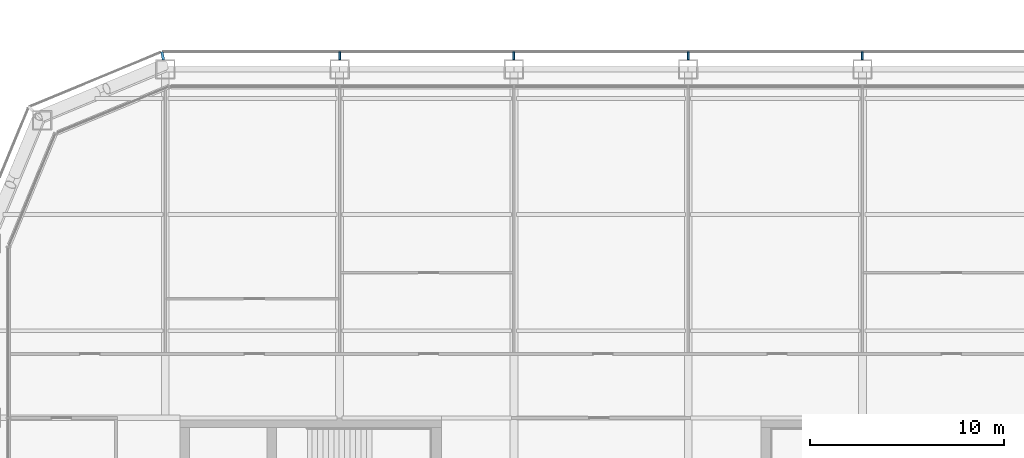
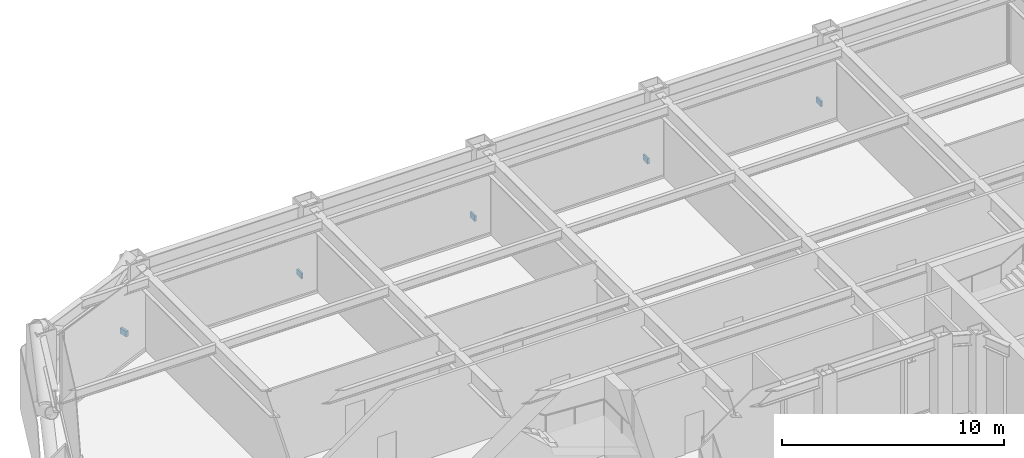
# One storey, part 23 of 30: 5 discrete accessories.
"""IFC4 building model written with IfcOpenShell, lengths in metres."""

import ifcopenshell
import ifcopenshell.guid

model = None  # the IFC model being written
_history = None  # IfcOwnerHistory: only IFC2X3 demands one
_inside = {}  # id of a spatial element -> (the spatial element, [elements in it])
_under = {}  # id of a project, library or spatial element -> (it, [spatial elements below it])
_declared = {}  # id of a project -> (the project, [libraries it declares])
_typed = {}  # id of a type object -> (the type object, [elements of that type])
_made_of = {}  # id of a material, layer set ... -> (it, [elements and type objects made of it])


def new_model(schema):
    """Start an empty IFC model of exactly this schema.

    Asked for "IFC4X3", IfcOpenShell would pick the latest addendum, in which some entities
    have other attributes; the version numbers below select the first issue.
    IFC2X3 requires an IfcOwnerHistory on every rooted entity: one is made here for all.
    """
    global model, _history
    if schema == "IFC4X3":
        model = ifcopenshell.file(schema_version=(4, 3, 0, 0))
    else:
        model = ifcopenshell.file(schema=schema)
    _inside.clear()
    _under.clear()
    _declared.clear()
    _typed.clear()
    _made_of.clear()
    _history = None
    if model.schema == "IFC2X3":
        org = make("IfcOrganization", Name="unknown")
        user = make(
            "IfcPersonAndOrganization",
            ThePerson=make("IfcPerson", FamilyName="unknown"),
            TheOrganization=org,
        )
        app = make(
            "IfcApplication",
            ApplicationDeveloper=org,
            Version="unknown",
            ApplicationFullName="unknown",
            ApplicationIdentifier="unknown",
        )
        _history = make(
            "IfcOwnerHistory",
            OwningUser=user,
            OwningApplication=app,
            ChangeAction="ADDED",
            CreationDate=0,
        )
    return model


def make(cls, **values):
    """One entity of the class cls with the attributes given. An attribute that is None is left unset."""
    return model.create_entity(
        cls, **{name: value for name, value in values.items() if value is not None}
    )


def rooted(cls, **values):
    """An entity with a GlobalId (a new one), such as an element, a storey or a relation."""
    return make(cls, GlobalId=ifcopenshell.guid.new(), OwnerHistory=_history, **values)


def si_unit(unit_type, name, prefix=None):
    """IfcSIUnit, for example si_unit("LENGTHUNIT", "METRE", prefix="MILLI")."""
    return make("IfcSIUnit", UnitType=unit_type, Prefix=prefix, Name=name)


def assignment(units):
    """IfcUnitAssignment: the units of a project."""
    return None if units is None else make("IfcUnitAssignment", Units=units)


def point(xyz):
    """IfcCartesianPoint."""
    return None if xyz is None else make("IfcCartesianPoint", Coordinates=xyz)


def direction(xyz):
    """IfcDirection."""
    return None if xyz is None else make("IfcDirection", DirectionRatios=xyz)


def frame(location, z_axis=None, x_axis=None):
    """IfcAxis2Placement3D, a coordinate frame: its origin and axes. An axis left out is left unset."""
    return make(
        "IfcAxis2Placement3D",
        Location=point(location),
        Axis=direction(z_axis),
        RefDirection=direction(x_axis),
    )


def frame_2d(location, x_axis=None):
    """IfcAxis2Placement2D, a coordinate frame in the plane: its origin and x axis."""
    return make(
        "IfcAxis2Placement2D", Location=point(location), RefDirection=direction(x_axis)
    )


def origin():
    """The frame at (0, 0, 0) with its axes left unset."""
    return frame((0.0, 0.0, 0.0))


def origin_2d():
    """The frame at (0, 0) in the plane with its x axis left unset."""
    return frame_2d((0.0, 0.0))


def place(relative_to, where):
    """IfcLocalPlacement: puts the frame where relative to a parent placement (None: the world)."""
    return make(
        "IfcLocalPlacement", PlacementRelTo=relative_to, RelativePlacement=where
    )


def context(
    kind, dimensions, precision=None, world=None, true_north=None, identifier=None
):
    """IfcGeometricRepresentationContext, for example the 3D "Model" context."""
    return make(
        "IfcGeometricRepresentationContext",
        ContextIdentifier=identifier,
        ContextType=kind,
        CoordinateSpaceDimension=dimensions,
        Precision=precision,
        WorldCoordinateSystem=world,
        TrueNorth=true_north,
    )


def subcontext(parent, identifier, kind, view, scale=None):
    """IfcGeometricRepresentationSubContext, for example "Body" below "Model"."""
    return make(
        "IfcGeometricRepresentationSubContext",
        ContextIdentifier=identifier,
        ContextType=kind,
        ParentContext=parent,
        TargetScale=scale,
        TargetView=view,
    )


def project(units=None, contexts=None):
    """IfcProject with its units and contexts."""
    return rooted(
        "IfcProject",
        Name="project",
        RepresentationContexts=contexts,
        UnitsInContext=assignment(units),
    )


def spatial(cls, under=None, at=None, **own):
    """A site, building, storey or space (cls), placed at a placement, below another one or the project."""
    s = rooted(cls, ObjectPlacement=at, **own)
    if under is not None:
        _under.setdefault(under.id(), (under, []))[1].append(s)
    return s


def profile(cls, at=None, kind="AREA", **sizes):
    """A parametric profile (cls). Its sizes go by their IFC names, for example OverallWidth=200.0."""
    return make(cls, ProfileType=kind, Position=at, **sizes)


def rectangle(**sizes):
    """IfcRectangleProfileDef."""
    return profile("IfcRectangleProfileDef", **sizes)


def extrude(swept, where, along, depth):
    """IfcExtrudedAreaSolid: the profile swept, set in the frame where, extruded along a direction by depth."""
    return make(
        "IfcExtrudedAreaSolid",
        SweptArea=swept,
        Position=where,
        ExtrudedDirection=direction(along),
        Depth=depth,
    )


def shape(context_of_items, identifier, shape_type, items):
    """IfcShapeRepresentation: the items that make up one representation, for example the "Body"."""
    return make(
        "IfcShapeRepresentation",
        ContextOfItems=context_of_items,
        RepresentationIdentifier=identifier,
        RepresentationType=shape_type,
        Items=items,
    )


def material(Name=None, Category=None):
    """IfcMaterial."""
    return make("IfcMaterial", Name=Name, Category=Category)


def made_of(thing, what):
    """Note that an element or type object is made of a material, layer set ...; save() writes the relation."""
    if what is not None:
        _made_of.setdefault(what.id(), (what, []))[1].append(thing)
    return thing


def type_object(cls, material=None, **own):
    """A type object (cls), such as IfcWallType, which elements share."""
    return made_of(rooted(cls, **own), material)


def element(
    cls,
    number,
    at=None,
    inside=None,
    cuts=None,
    type_object=None,
    material=None,
    context=None,
    identifier="Body",
    shape_type=None,
    held_by="IfcProductDefinitionShape",
    body=None,
    shapes=None,
    **own,
):
    """One element of the class cls, such as IfcWall. Its Tag is "e" and its number.

    at: its placement. inside: the storey or other place that contains it. cuts: it is an
    opening in that element (IfcRelVoidsElement). A single representation is given by context,
    identifier, shape_type and body (its items); several are given by shapes. held_by: the class
    of the entity that holds the representations. save() writes the other relations.
    """
    e = rooted(cls, Tag="e%d" % number, ObjectPlacement=at, **own)
    if body is not None:
        shapes = [shape(context, identifier, shape_type, body)]
    if shapes is not None:
        e.Representation = make(held_by, Representations=shapes)
    if inside is not None:
        _inside.setdefault(inside.id(), (inside, []))[1].append(e)
    if cuts is not None:
        rooted(
            "IfcRelVoidsElement", RelatingBuildingElement=cuts, RelatedOpeningElement=e
        )
    if type_object is not None:
        _typed.setdefault(type_object.id(), (type_object, []))[1].append(e)
    return made_of(e, material)


def aggregate(whole, parts):
    """IfcRelAggregates: a whole, such as a stair, and the parts it consists of."""
    return rooted("IfcRelAggregates", RelatingObject=whole, RelatedObjects=parts)


def save(model, path):
    """Write the relations noted so far, then the file.

    IfcRelAggregates (storeys below a building ...), IfcRelContainedInSpatialStructure (elements
    in a storey), IfcRelDefinesByType, IfcRelAssociatesMaterial and IfcRelDeclares: one each for
    every whole, place, type object, material and project.
    """
    for whole, parts in _under.values():
        aggregate(whole, parts)
    for where, things in _inside.values():
        rooted(
            "IfcRelContainedInSpatialStructure",
            RelatedElements=things,
            RelatingStructure=where,
        )
    for kind, things in _typed.values():
        rooted("IfcRelDefinesByType", RelatedObjects=things, RelatingType=kind)
    for what, things in _made_of.values():
        rooted("IfcRelAssociatesMaterial", RelatedObjects=things, RelatingMaterial=what)
    for by, libraries in _declared.values():
        rooted("IfcRelDeclares", RelatingContext=by, RelatedDefinitions=libraries)
    model.write(path)


model = new_model("IFC4")

# Units and contexts
model_context = context("Model", 3, precision=1e-05, world=origin(), true_north=direction((0.0, 1.0)))
body_context = subcontext(model_context, "Body", "Model", "MODEL_VIEW")
ifc_project = project(units=[si_unit("LENGTHUNIT", "METRE"), si_unit("AREAUNIT", "SQUARE_METRE"), si_unit("VOLUMEUNIT", "CUBIC_METRE"), si_unit("PLANEANGLEUNIT", "RADIAN"), si_unit("MASSUNIT", "GRAM", prefix="KILO")], contexts=[model_context])

# Site, building, storey
site_placement = place(None, origin())
site = spatial("IfcSite", under=ifc_project, at=site_placement, CompositionType="ELEMENT")
building_placement = place(site_placement, origin())
building = spatial("IfcBuilding", under=site, at=building_placement, Name="Siwar Civic Tower", CompositionType="ELEMENT")
storey_placement = place(building_placement, frame((0.0, 0.0, 80.699951171875)))
storey = spatial("IfcBuildingStorey", under=building, at=storey_placement, Name="L17", CompositionType="ELEMENT", Elevation=80.699951171875)

# Discrete accessories
ifc_material = material(Name="Stainless steel 316", Category="steel")
discrete_accessory_type = type_object("IfcDiscreteAccessoryType", Name="ENV-BRACKET", PredefinedType="BRACKET", material=ifc_material)
for number, where, z_axis, x_axis, name in (
    (1, (13.5, 32.18994140625, -0.14990234375), (0.0, 0.0, 1.0), (0.0, 1.0, 0.0), "Bracket outer skin joint N-01"),
    (2, (4.5, 32.18994140625, -0.14990234375), (0.0, 0.0, 1.0), (0.0, 1.0, 0.0), "Bracket outer skin joint N-02"),
    (3, (-4.5, 32.18994140625, -0.14990234375), (0.0, 0.0, 1.0), (0.0, 1.0, 0.0), "Bracket outer skin joint N-03"),
    (4, (-13.5, 32.18994140625, -0.14990234375), (0.0, 0.0, 1.0), (0.0, 1.0, 0.0), "Bracket outer skin joint N-04"),
):
    element("IfcDiscreteAccessory", number, at=place(storey_placement, frame(where, z_axis=z_axis, x_axis=x_axis)), inside=storey, type_object=discrete_accessory_type, Name=name, PredefinedType="BRACKET", context=body_context, shape_type="SweptSolid", body=[
        extrude(rectangle(XDim=0.419921875, YDim=0.10009765625, at=origin_2d()), origin(), (0.0, 0.0, 1.0), 0.300048828125),
    ])
discrete_accessory_placement = place(storey_placement, frame((-22.63720703125, 32.190185546875, -0.14990234375), z_axis=(0.0, 0.0, 1.0), x_axis=(-0.195090322016, 0.980785280403, 0.0)))
element("IfcDiscreteAccessory", 5, at=discrete_accessory_placement, inside=storey, type_object=discrete_accessory_type, Name="Bracket outer skin joint V07", PredefinedType="BRACKET", context=body_context, shape_type="SweptSolid", body=[
    extrude(rectangle(XDim=0.427734375, YDim=0.13720703125, at=origin_2d()), origin(), (0.0, 0.0, 1.0), 0.300048828125),
])

save(model, "model.ifc")
